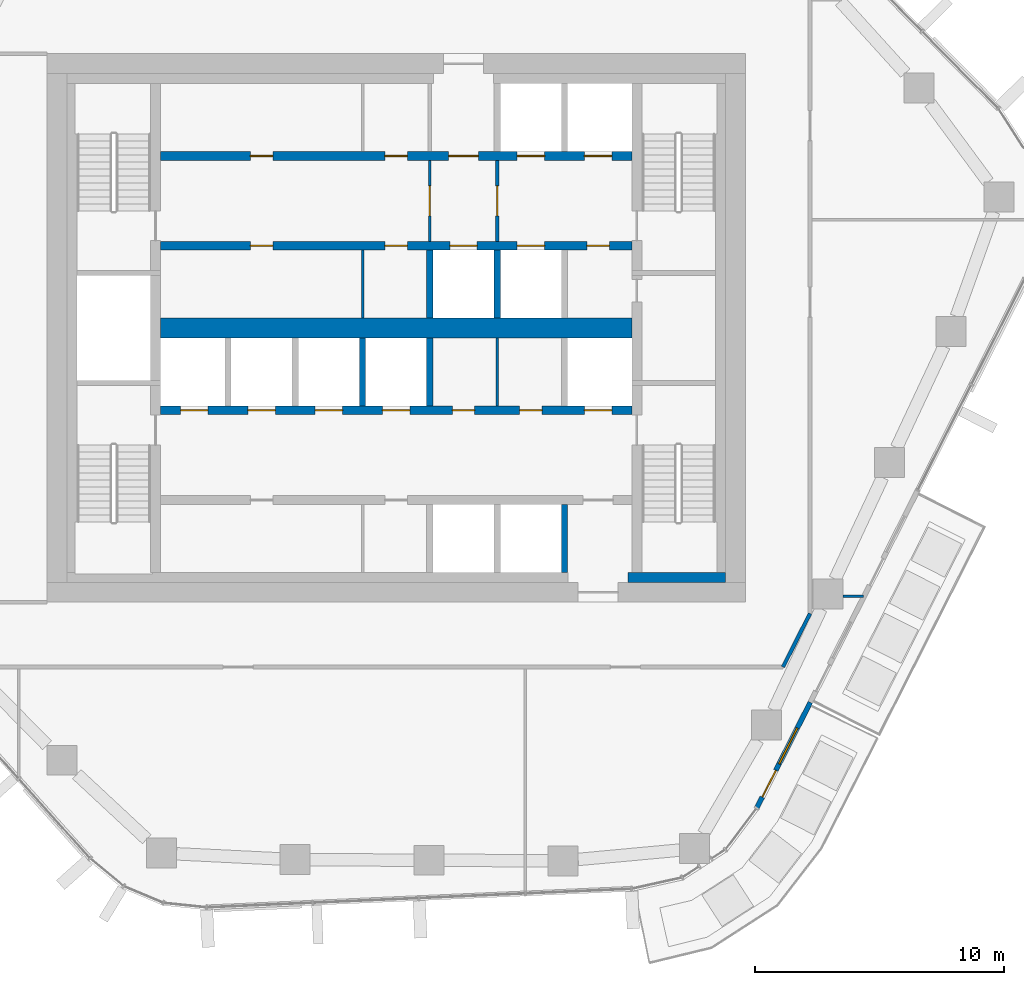
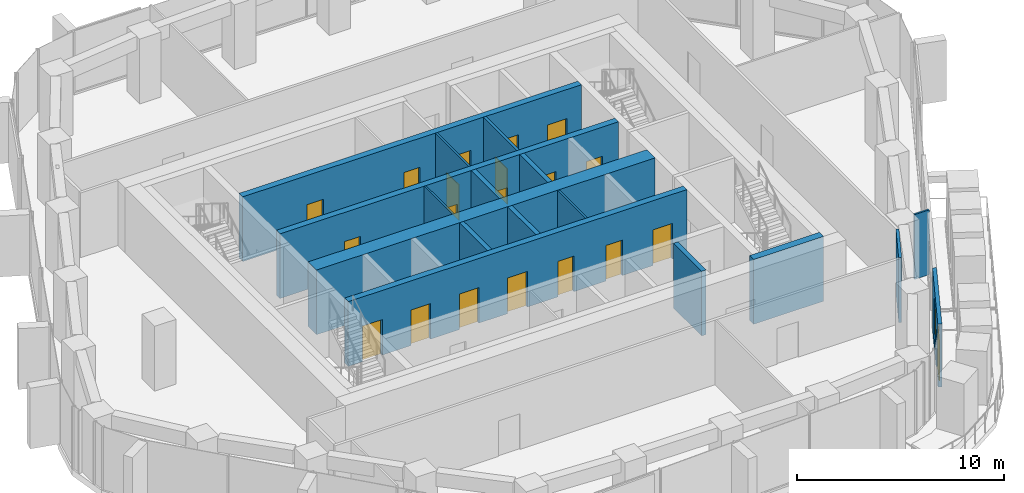
# One storey, part 11 of 17: 20 doors, 17 walls, 1 window, 21 openings.
"""IFC4 building model written with IfcOpenShell, lengths in metres."""

from ifc_helpers import new_model, si_unit, direction, frame, frame_2d, origin, place, context, subcontext, project, spatial, rectangle, extrude, material, layer, layer_set, type_object, element, fill, save


model = new_model("IFC4")

# Units and contexts
model_context = context("Model", 3, precision=1e-05, world=origin(), true_north=direction((0.0, 1.0)))
body_context = subcontext(model_context, "Body", "Model", "MODEL_VIEW")
ifc_project = project(units=[si_unit("LENGTHUNIT", "METRE"), si_unit("AREAUNIT", "SQUARE_METRE"), si_unit("VOLUMEUNIT", "CUBIC_METRE"), si_unit("PLANEANGLEUNIT", "RADIAN"), si_unit("MASSUNIT", "GRAM", prefix="KILO")], contexts=[model_context])

# Site, building, storey
site_placement = place(None, origin())
site = spatial("IfcSite", under=ifc_project, at=site_placement, CompositionType="ELEMENT")
building_placement = place(site_placement, origin())
building = spatial("IfcBuilding", under=site, at=building_placement, Name="Dongbaek Canopy Tower", CompositionType="ELEMENT")
storey_placement = place(building_placement, frame((0.0, 0.0, 175.39990234375)))
storey = spatial("IfcBuildingStorey", under=building, at=storey_placement, Name="L38", CompositionType="ELEMENT", Elevation=175.39990234375)

# Wall
ifc_material_1 = material(Name="Concrete C60/75", Category="concrete")
ifc_layer_1 = layer(ifc_material_1, 0.800048828125)
ifc_layer_set_1 = layer_set([ifc_layer_1], Name="Core central wall 800 Concrete C60/75")
wall_type_1 = type_object("IfcWallType", Name="Core central wall 800 Concrete C60/75", PredefinedType="SHEAR", material=ifc_layer_set_1)
wall_1_placement = place(storey_placement, frame((-9.449951171875, 0.0, 0.0), z_axis=(0.0, 0.0, 1.0), x_axis=(1.0, 0.0, 0.0)))
element("IfcWall", 1, at=wall_1_placement, inside=storey, type_object=wall_type_1, Name="Core wall", PredefinedType="SHEAR", context=body_context, shape_type="SweptSolid", body=[
    extrude(rectangle(XDim=18.89990234375, YDim=0.800048828125, at=frame_2d((9.449951171875, 0.0))), origin(), (0.0, 0.0, 1.0), 3.820068359375),
])

# Wall, openings, doors
ifc_material_2 = material(Name="Concrete C60/75", Category="concrete")
ifc_layer_2 = layer(ifc_material_2, 0.35009765625)
ifc_layer_set_2 = layer_set([ifc_layer_2], Name="Core lobby wall 350 Concrete C60/75")
wall_type_2 = type_object("IfcWallType", Name="Core lobby wall 350 Concrete C60/75", PredefinedType="SHEAR", material=ifc_layer_set_2)
wall_2_placement = place(storey_placement, frame((-9.449951171875, 6.89990234375, 0.0), z_axis=(0.0, 0.0, 1.0), x_axis=(1.0, 0.0, 0.0)))
wall_2 = element("IfcWall", 2, at=wall_2_placement, inside=storey, type_object=wall_type_2, Name="Core wall", PredefinedType="SHEAR", context=body_context, shape_type="SweptSolid", body=[
    extrude(rectangle(XDim=18.89990234375, YDim=0.35009765625, at=frame_2d((9.449951171875, 0.0))), origin(), (0.0, 0.0, 1.0), 3.820068359375),
])
opening_1_placement = place(wall_2_placement, frame((11.550048828125, 0.0, 0.0)))
opening_1 = element("IfcOpeningElement", 3, at=opening_1_placement, cuts=wall_2, Name="Opening L38-D009", PredefinedType="OPENING", context=body_context, shape_type="SweptSolid", body=[
    extrude(rectangle(XDim=1.199951171875, YDim=2.10009765625, at=frame_2d((0.60009765625, 1.050048828125))), frame((0.0, 0.18505859375, 0.0), z_axis=(0.0, -1.0, 0.0), x_axis=(1.0, 0.0, 0.0)), (0.0, 0.0, 1.0), 0.3701171875),
])
opening_2_placement = place(wall_2_placement, frame((14.300048828125, 0.0, 0.0)))
opening_2 = element("IfcOpeningElement", 4, at=opening_2_placement, cuts=wall_2, Name="Opening L38-D010", PredefinedType="OPENING", context=body_context, shape_type="SweptSolid", body=[
    extrude(rectangle(XDim=1.10009765625, YDim=2.10009765625, at=frame_2d((0.550048828125, 1.050048828125))), frame((0.0, 0.18505859375, 0.0), z_axis=(0.0, -1.0, 0.0), x_axis=(1.0, 0.0, 0.0)), (0.0, 0.0, 1.0), 0.3701171875),
])
opening_3_placement = place(wall_2_placement, frame((17.0, 0.0, 0.0)))
opening_3 = element("IfcOpeningElement", 5, at=opening_3_placement, cuts=wall_2, Name="Opening L38-D011", PredefinedType="OPENING", context=body_context, shape_type="SweptSolid", body=[
    extrude(rectangle(XDim=1.10009765625, YDim=2.10009765625, at=frame_2d((0.550048828125, 1.050048828125))), frame((0.0, 0.18505859375, 0.0), z_axis=(0.0, -1.0, 0.0), x_axis=(1.0, 0.0, 0.0)), (0.0, 0.0, 1.0), 0.3701171875),
])
opening_4_placement = place(wall_2_placement, frame((3.60009765625, 0.0, 0.0)))
opening_4 = element("IfcOpeningElement", 6, at=opening_4_placement, cuts=wall_2, Name="Opening L38-D022", PredefinedType="OPENING", context=body_context, shape_type="SweptSolid", body=[
    extrude(rectangle(XDim=0.89990234375, YDim=2.10009765625, at=frame_2d((0.449951171875, 1.050048828125))), frame((0.0, 0.18505859375, 0.0), z_axis=(0.0, -1.0, 0.0), x_axis=(1.0, 0.0, 0.0)), (0.0, 0.0, 1.0), 0.3701171875),
])
opening_5_placement = place(wall_2_placement, frame((9.0, 0.0, 0.0)))
opening_5 = element("IfcOpeningElement", 7, at=opening_5_placement, cuts=wall_2, Name="Opening L38-D023", PredefinedType="OPENING", context=body_context, shape_type="SweptSolid", body=[
    extrude(rectangle(XDim=0.89990234375, YDim=2.10009765625, at=frame_2d((0.449951171875, 1.050048828125))), frame((0.0, 0.18505859375, 0.0), z_axis=(0.0, -1.0, 0.0), x_axis=(1.0, 0.0, 0.0)), (0.0, 0.0, 1.0), 0.3701171875),
])
ifc_material_3 = material(Name="Steel", Category="steel")
door_type_1 = type_object("IfcDoorType", Name="Core room door 900 x 2100", OperationType="SINGLE_SWING_LEFT", PredefinedType="DOOR", material=ifc_material_3)
door_1_placement = place(opening_4_placement, origin())
door_1 = element("IfcDoor", 8, at=door_1_placement, inside=storey, type_object=door_type_1, Name="Door L38-D022", OperationType="SINGLE_SWING_RIGHT", OverallHeight=2.10009765625, OverallWidth=0.89990234375, PredefinedType="DOOR", context=body_context, shape_type="SweptSolid", body=[
    extrude(rectangle(XDim=0.89990234375, YDim=2.10009765625, at=frame_2d((0.449951171875, 1.050048828125))), frame((0.0, 0.02490234375, 0.0), z_axis=(0.0, -1.0, 0.0), x_axis=(1.0, 0.0, 0.0)), (0.0, 0.0, 1.0), 0.050048828125),
])
fill(opening_4, door_1)
door_2_placement = place(opening_5_placement, origin())
door_2 = element("IfcDoor", 9, at=door_2_placement, inside=storey, type_object=door_type_1, Name="Door L38-D023", OperationType="SINGLE_SWING_LEFT", OverallHeight=2.10009765625, OverallWidth=0.89990234375, PredefinedType="DOOR", context=body_context, shape_type="SweptSolid", body=[
    extrude(rectangle(XDim=0.89990234375, YDim=2.10009765625, at=frame_2d((0.449951171875, 1.050048828125))), frame((0.0, 0.02490234375, 0.0), z_axis=(0.0, -1.0, 0.0), x_axis=(1.0, 0.0, 0.0)), (0.0, 0.0, 1.0), 0.050048828125),
])
fill(opening_5, door_2)
ifc_material_4 = material(Name="Steel", Category="steel")
door_type_2 = type_object("IfcDoorType", Name="Fire lobby door 1200 x 2100", OperationType="SINGLE_SWING_LEFT", PredefinedType="DOOR", material=ifc_material_4)
door_3_placement = place(opening_1_placement, origin())
door_3 = element("IfcDoor", 10, at=door_3_placement, inside=storey, type_object=door_type_2, Name="Door L38-D009", OperationType="SINGLE_SWING_LEFT", OverallHeight=2.10009765625, OverallWidth=1.199951171875, PredefinedType="DOOR", context=body_context, shape_type="SweptSolid", body=[
    extrude(rectangle(XDim=1.199951171875, YDim=2.10009765625, at=frame_2d((0.60009765625, 1.050048828125))), frame((0.0, 0.02490234375, 0.0), z_axis=(0.0, -1.0, 0.0), x_axis=(1.0, 0.0, 0.0)), (0.0, 0.0, 1.0), 0.050048828125),
])
fill(opening_1, door_3)
ifc_material_5 = material(Name="Stainless steel", Category="steel")
door_type_3 = type_object("IfcDoorType", Name="Lift landing door 1100 x 2100", OperationType="DOUBLE_DOOR_SLIDING", PredefinedType="DOOR", material=ifc_material_5)
door_4_placement = place(opening_2_placement, origin())
door_4 = element("IfcDoor", 11, at=door_4_placement, inside=storey, type_object=door_type_3, Name="Landing door FF1", OperationType="DOUBLE_DOOR_SLIDING", OverallHeight=2.10009765625, OverallWidth=1.10009765625, PredefinedType="DOOR", context=body_context, shape_type="SweptSolid", body=[
    extrude(rectangle(XDim=1.10009765625, YDim=2.10009765625, at=frame_2d((0.550048828125, 1.050048828125))), frame((0.0, 0.02490234375, 0.0), z_axis=(0.0, -1.0, 0.0), x_axis=(1.0, 0.0, 0.0)), (0.0, 0.0, 1.0), 0.050048828125),
])
fill(opening_2, door_4)
door_5_placement = place(opening_3_placement, origin())
door_5 = element("IfcDoor", 12, at=door_5_placement, inside=storey, type_object=door_type_3, Name="Landing door FF2", OperationType="DOUBLE_DOOR_SLIDING", OverallHeight=2.10009765625, OverallWidth=1.10009765625, PredefinedType="DOOR", context=body_context, shape_type="SweptSolid", body=[
    extrude(rectangle(XDim=1.10009765625, YDim=2.10009765625, at=frame_2d((0.550048828125, 1.050048828125))), frame((0.0, 0.02490234375, 0.0), z_axis=(0.0, -1.0, 0.0), x_axis=(1.0, 0.0, 0.0)), (0.0, 0.0, 1.0), 0.050048828125),
])
fill(opening_3, door_5)

wall_3_placement = place(storey_placement, frame((9.449951171875, 3.300048828125, 0.0), z_axis=(0.0, 0.0, 1.0), x_axis=(-1.0, 0.0, 0.0)))
wall_3 = element("IfcWall", 13, at=wall_3_placement, inside=storey, type_object=wall_type_2, Name="Core wall", PredefinedType="SHEAR", context=body_context, shape_type="SweptSolid", body=[
    extrude(rectangle(XDim=18.89990234375, YDim=0.35009765625, at=frame_2d((9.449951171875, 0.0))), origin(), (0.0, 0.0, 1.0), 3.820068359375),
])
opening_6_placement = place(wall_3_placement, frame((6.199951171875, 0.0, 0.0)))
opening_6 = element("IfcOpeningElement", 14, at=opening_6_placement, cuts=wall_3, Name="Opening L38-D012", PredefinedType="OPENING", context=body_context, shape_type="SweptSolid", body=[
    extrude(rectangle(XDim=1.10009765625, YDim=2.10009765625, at=frame_2d((0.550048828125, 1.050048828125))), frame((0.0, 0.18505859375, 0.0), z_axis=(0.0, -1.0, 0.0), x_axis=(1.0, 0.0, 0.0)), (0.0, 0.0, 1.0), 0.3701171875),
])
opening_7_placement = place(wall_3_placement, frame((3.5, 0.0, 0.0)))
opening_7 = element("IfcOpeningElement", 15, at=opening_7_placement, cuts=wall_3, Name="Opening L38-D013", PredefinedType="OPENING", context=body_context, shape_type="SweptSolid", body=[
    extrude(rectangle(XDim=1.10009765625, YDim=2.10009765625, at=frame_2d((0.550048828125, 1.050048828125))), frame((0.0, 0.18505859375, 0.0), z_axis=(0.0, -1.0, 0.0), x_axis=(1.0, 0.0, 0.0)), (0.0, 0.0, 1.0), 0.3701171875),
])
opening_8_placement = place(wall_3_placement, frame((0.89990234375, 0.0, 0.0)))
opening_8 = element("IfcOpeningElement", 16, at=opening_8_placement, cuts=wall_3, Name="Opening L38-D014", PredefinedType="OPENING", context=body_context, shape_type="SweptSolid", body=[
    extrude(rectangle(XDim=0.89990234375, YDim=2.10009765625, at=frame_2d((0.449951171875, 1.050048828125))), frame((0.0, 0.18505859375, 0.0), z_axis=(0.0, -1.0, 0.0), x_axis=(1.0, 0.0, 0.0)), (0.0, 0.0, 1.0), 0.3701171875),
])
opening_9_placement = place(wall_3_placement, frame((14.39990234375, 0.0, 0.0)))
opening_9 = element("IfcOpeningElement", 17, at=opening_9_placement, cuts=wall_3, Name="Opening L38-D024", PredefinedType="OPENING", context=body_context, shape_type="SweptSolid", body=[
    extrude(rectangle(XDim=0.89990234375, YDim=2.10009765625, at=frame_2d((0.449951171875, 1.050048828125))), frame((0.0, 0.18505859375, 0.0), z_axis=(0.0, -1.0, 0.0), x_axis=(1.0, 0.0, 0.0)), (0.0, 0.0, 1.0), 0.3701171875),
])
opening_10_placement = place(wall_3_placement, frame((9.0, 0.0, 0.0)))
opening_10 = element("IfcOpeningElement", 18, at=opening_10_placement, cuts=wall_3, Name="Opening L38-D025", PredefinedType="OPENING", context=body_context, shape_type="SweptSolid", body=[
    extrude(rectangle(XDim=0.89990234375, YDim=2.10009765625, at=frame_2d((0.449951171875, 1.050048828125))), frame((0.0, 0.18505859375, 0.0), z_axis=(0.0, -1.0, 0.0), x_axis=(1.0, 0.0, 0.0)), (0.0, 0.0, 1.0), 0.3701171875),
])
door_6_placement = place(opening_8_placement, origin())
door_6 = element("IfcDoor", 19, at=door_6_placement, inside=storey, type_object=door_type_1, Name="Door L38-D014", OperationType="SINGLE_SWING_LEFT", OverallHeight=2.10009765625, OverallWidth=0.89990234375, PredefinedType="DOOR", context=body_context, shape_type="SweptSolid", body=[
    extrude(rectangle(XDim=0.89990234375, YDim=2.10009765625, at=frame_2d((0.449951171875, 1.050048828125))), frame((0.0, 0.02490234375, 0.0), z_axis=(0.0, -1.0, 0.0), x_axis=(1.0, 0.0, 0.0)), (0.0, 0.0, 1.0), 0.050048828125),
])
fill(opening_8, door_6)
door_7_placement = place(opening_9_placement, origin())
door_7 = element("IfcDoor", 20, at=door_7_placement, inside=storey, type_object=door_type_1, Name="Door L38-D024", OperationType="SINGLE_SWING_RIGHT", OverallHeight=2.10009765625, OverallWidth=0.89990234375, PredefinedType="DOOR", context=body_context, shape_type="SweptSolid", body=[
    extrude(rectangle(XDim=0.89990234375, YDim=2.10009765625, at=frame_2d((0.449951171875, 1.050048828125))), frame((0.0, 0.02490234375, 0.0), z_axis=(0.0, -1.0, 0.0), x_axis=(1.0, 0.0, 0.0)), (0.0, 0.0, 1.0), 0.050048828125),
])
fill(opening_9, door_7)
door_8_placement = place(opening_10_placement, origin())
door_8 = element("IfcDoor", 21, at=door_8_placement, inside=storey, type_object=door_type_1, Name="Door L38-D025", OperationType="SINGLE_SWING_LEFT", OverallHeight=2.10009765625, OverallWidth=0.89990234375, PredefinedType="DOOR", context=body_context, shape_type="SweptSolid", body=[
    extrude(rectangle(XDim=0.89990234375, YDim=2.10009765625, at=frame_2d((0.449951171875, 1.050048828125))), frame((0.0, 0.02490234375, 0.0), z_axis=(0.0, -1.0, 0.0), x_axis=(1.0, 0.0, 0.0)), (0.0, 0.0, 1.0), 0.050048828125),
])
fill(opening_10, door_8)
door_9_placement = place(opening_6_placement, origin())
door_9 = element("IfcDoor", 22, at=door_9_placement, inside=storey, type_object=door_type_3, Name="Landing door SV1", OperationType="DOUBLE_DOOR_SLIDING", OverallHeight=2.10009765625, OverallWidth=1.10009765625, PredefinedType="DOOR", context=body_context, shape_type="SweptSolid", body=[
    extrude(rectangle(XDim=1.10009765625, YDim=2.10009765625, at=frame_2d((0.550048828125, 1.050048828125))), frame((0.0, 0.02490234375, 0.0), z_axis=(0.0, -1.0, 0.0), x_axis=(1.0, 0.0, 0.0)), (0.0, 0.0, 1.0), 0.050048828125),
])
fill(opening_6, door_9)
door_10_placement = place(opening_7_placement, origin())
door_10 = element("IfcDoor", 23, at=door_10_placement, inside=storey, type_object=door_type_3, Name="Landing door FF3", OperationType="DOUBLE_DOOR_SLIDING", OverallHeight=2.10009765625, OverallWidth=1.10009765625, PredefinedType="DOOR", context=body_context, shape_type="SweptSolid", body=[
    extrude(rectangle(XDim=1.10009765625, YDim=2.10009765625, at=frame_2d((0.550048828125, 1.050048828125))), frame((0.0, 0.02490234375, 0.0), z_axis=(0.0, -1.0, 0.0), x_axis=(1.0, 0.0, 0.0)), (0.0, 0.0, 1.0), 0.050048828125),
])
fill(opening_7, door_10)

wall_4_placement = place(storey_placement, frame((-9.449951171875, -3.300048828125, 0.0), z_axis=(0.0, 0.0, 1.0), x_axis=(1.0, 0.0, 0.0)))
wall_4 = element("IfcWall", 24, at=wall_4_placement, inside=storey, type_object=wall_type_2, Name="Core wall", PredefinedType="SHEAR", context=body_context, shape_type="SweptSolid", body=[
    extrude(rectangle(XDim=18.89990234375, YDim=0.35009765625, at=frame_2d((9.449951171875, 0.0))), origin(), (0.0, 0.0, 1.0), 3.820068359375),
])
opening_11_placement = place(wall_4_placement, frame((0.800048828125, 0.0, 0.0)))
opening_11 = element("IfcOpeningElement", 25, at=opening_11_placement, cuts=wall_4, Name="Opening L38-D015", PredefinedType="OPENING", context=body_context, shape_type="SweptSolid", body=[
    extrude(rectangle(XDim=1.10009765625, YDim=2.10009765625, at=frame_2d((0.550048828125, 1.050048828125))), frame((0.0, 0.18505859375, 0.0), z_axis=(0.0, -1.0, 0.0), x_axis=(1.0, 0.0, 0.0)), (0.0, 0.0, 1.0), 0.3701171875),
])
opening_12_placement = place(wall_4_placement, frame((3.5, 0.0, 0.0)))
opening_12 = element("IfcOpeningElement", 26, at=opening_12_placement, cuts=wall_4, Name="Opening L38-D016", PredefinedType="OPENING", context=body_context, shape_type="SweptSolid", body=[
    extrude(rectangle(XDim=1.10009765625, YDim=2.10009765625, at=frame_2d((0.550048828125, 1.050048828125))), frame((0.0, 0.18505859375, 0.0), z_axis=(0.0, -1.0, 0.0), x_axis=(1.0, 0.0, 0.0)), (0.0, 0.0, 1.0), 0.3701171875),
])
opening_13_placement = place(wall_4_placement, frame((6.199951171875, 0.0, 0.0)))
opening_13 = element("IfcOpeningElement", 27, at=opening_13_placement, cuts=wall_4, Name="Opening L38-D017", PredefinedType="OPENING", context=body_context, shape_type="SweptSolid", body=[
    extrude(rectangle(XDim=1.10009765625, YDim=2.10009765625, at=frame_2d((0.550048828125, 1.050048828125))), frame((0.0, 0.18505859375, 0.0), z_axis=(0.0, -1.0, 0.0), x_axis=(1.0, 0.0, 0.0)), (0.0, 0.0, 1.0), 0.3701171875),
])
opening_14_placement = place(wall_4_placement, frame((8.89990234375, 0.0, 0.0)))
opening_14 = element("IfcOpeningElement", 28, at=opening_14_placement, cuts=wall_4, Name="Opening L38-D018", PredefinedType="OPENING", context=body_context, shape_type="SweptSolid", body=[
    extrude(rectangle(XDim=1.10009765625, YDim=2.10009765625, at=frame_2d((0.550048828125, 1.050048828125))), frame((0.0, 0.18505859375, 0.0), z_axis=(0.0, -1.0, 0.0), x_axis=(1.0, 0.0, 0.0)), (0.0, 0.0, 1.0), 0.3701171875),
])
opening_15_placement = place(wall_4_placement, frame((17.0, 0.0, 0.0)))
opening_15 = element("IfcOpeningElement", 29, at=opening_15_placement, cuts=wall_4, Name="Opening L38-D019", PredefinedType="OPENING", context=body_context, shape_type="SweptSolid", body=[
    extrude(rectangle(XDim=1.10009765625, YDim=2.10009765625, at=frame_2d((0.550048828125, 1.050048828125))), frame((0.0, 0.18505859375, 0.0), z_axis=(0.0, -1.0, 0.0), x_axis=(1.0, 0.0, 0.0)), (0.0, 0.0, 1.0), 0.3701171875),
])
opening_16_placement = place(wall_4_placement, frame((11.699951171875, 0.0, 0.0)))
opening_16 = element("IfcOpeningElement", 30, at=opening_16_placement, cuts=wall_4, Name="Opening L38-D026", PredefinedType="OPENING", context=body_context, shape_type="SweptSolid", body=[
    extrude(rectangle(XDim=0.89990234375, YDim=2.10009765625, at=frame_2d((0.449951171875, 1.050048828125))), frame((0.0, 0.18505859375, 0.0), z_axis=(0.0, -1.0, 0.0), x_axis=(1.0, 0.0, 0.0)), (0.0, 0.0, 1.0), 0.3701171875),
])
opening_17_placement = place(wall_4_placement, frame((14.39990234375, 0.0, 0.0)))
opening_17 = element("IfcOpeningElement", 31, at=opening_17_placement, cuts=wall_4, Name="Opening L38-D027", PredefinedType="OPENING", context=body_context, shape_type="SweptSolid", body=[
    extrude(rectangle(XDim=0.89990234375, YDim=2.10009765625, at=frame_2d((0.449951171875, 1.050048828125))), frame((0.0, 0.18505859375, 0.0), z_axis=(0.0, -1.0, 0.0), x_axis=(1.0, 0.0, 0.0)), (0.0, 0.0, 1.0), 0.3701171875),
])
door_11_placement = place(opening_16_placement, origin())
door_11 = element("IfcDoor", 32, at=door_11_placement, inside=storey, type_object=door_type_1, Name="Door L38-D026", OperationType="SINGLE_SWING_RIGHT", OverallHeight=2.10009765625, OverallWidth=0.89990234375, PredefinedType="DOOR", context=body_context, shape_type="SweptSolid", body=[
    extrude(rectangle(XDim=0.89990234375, YDim=2.10009765625, at=frame_2d((0.449951171875, 1.050048828125))), frame((0.0, 0.02490234375, 0.0), z_axis=(0.0, -1.0, 0.0), x_axis=(1.0, 0.0, 0.0)), (0.0, 0.0, 1.0), 0.050048828125),
])
fill(opening_16, door_11)
door_12_placement = place(opening_17_placement, origin())
door_12 = element("IfcDoor", 33, at=door_12_placement, inside=storey, type_object=door_type_1, Name="Door L38-D027", OperationType="SINGLE_SWING_LEFT", OverallHeight=2.10009765625, OverallWidth=0.89990234375, PredefinedType="DOOR", context=body_context, shape_type="SweptSolid", body=[
    extrude(rectangle(XDim=0.89990234375, YDim=2.10009765625, at=frame_2d((0.449951171875, 1.050048828125))), frame((0.0, 0.02490234375, 0.0), z_axis=(0.0, -1.0, 0.0), x_axis=(1.0, 0.0, 0.0)), (0.0, 0.0, 1.0), 0.050048828125),
])
fill(opening_17, door_12)
door_13_placement = place(opening_11_placement, origin())
door_13 = element("IfcDoor", 34, at=door_13_placement, inside=storey, type_object=door_type_3, Name="Landing door MR1", OperationType="DOUBLE_DOOR_SLIDING", OverallHeight=2.10009765625, OverallWidth=1.10009765625, PredefinedType="DOOR", context=body_context, shape_type="SweptSolid", body=[
    extrude(rectangle(XDim=1.10009765625, YDim=2.10009765625, at=frame_2d((0.550048828125, 1.050048828125))), frame((0.0, 0.02490234375, 0.0), z_axis=(0.0, -1.0, 0.0), x_axis=(1.0, 0.0, 0.0)), (0.0, 0.0, 1.0), 0.050048828125),
])
fill(opening_11, door_13)
door_14_placement = place(opening_12_placement, origin())
door_14 = element("IfcDoor", 35, at=door_14_placement, inside=storey, type_object=door_type_3, Name="Landing door MR2", OperationType="DOUBLE_DOOR_SLIDING", OverallHeight=2.10009765625, OverallWidth=1.10009765625, PredefinedType="DOOR", context=body_context, shape_type="SweptSolid", body=[
    extrude(rectangle(XDim=1.10009765625, YDim=2.10009765625, at=frame_2d((0.550048828125, 1.050048828125))), frame((0.0, 0.02490234375, 0.0), z_axis=(0.0, -1.0, 0.0), x_axis=(1.0, 0.0, 0.0)), (0.0, 0.0, 1.0), 0.050048828125),
])
fill(opening_12, door_14)
door_15_placement = place(opening_13_placement, origin())
door_15 = element("IfcDoor", 36, at=door_15_placement, inside=storey, type_object=door_type_3, Name="Landing door MR3", OperationType="DOUBLE_DOOR_SLIDING", OverallHeight=2.10009765625, OverallWidth=1.10009765625, PredefinedType="DOOR", context=body_context, shape_type="SweptSolid", body=[
    extrude(rectangle(XDim=1.10009765625, YDim=2.10009765625, at=frame_2d((0.550048828125, 1.050048828125))), frame((0.0, 0.02490234375, 0.0), z_axis=(0.0, -1.0, 0.0), x_axis=(1.0, 0.0, 0.0)), (0.0, 0.0, 1.0), 0.050048828125),
])
fill(opening_13, door_15)
door_16_placement = place(opening_14_placement, origin())
door_16 = element("IfcDoor", 37, at=door_16_placement, inside=storey, type_object=door_type_3, Name="Landing door MR4", OperationType="DOUBLE_DOOR_SLIDING", OverallHeight=2.10009765625, OverallWidth=1.10009765625, PredefinedType="DOOR", context=body_context, shape_type="SweptSolid", body=[
    extrude(rectangle(XDim=1.10009765625, YDim=2.10009765625, at=frame_2d((0.550048828125, 1.050048828125))), frame((0.0, 0.02490234375, 0.0), z_axis=(0.0, -1.0, 0.0), x_axis=(1.0, 0.0, 0.0)), (0.0, 0.0, 1.0), 0.050048828125),
])
fill(opening_14, door_16)
door_17_placement = place(opening_15_placement, origin())
door_17 = element("IfcDoor", 38, at=door_17_placement, inside=storey, type_object=door_type_3, Name="Landing door SV2", OperationType="DOUBLE_DOOR_SLIDING", OverallHeight=2.10009765625, OverallWidth=1.10009765625, PredefinedType="DOOR", context=body_context, shape_type="SweptSolid", body=[
    extrude(rectangle(XDim=1.10009765625, YDim=2.10009765625, at=frame_2d((0.550048828125, 1.050048828125))), frame((0.0, 0.02490234375, 0.0), z_axis=(0.0, -1.0, 0.0), x_axis=(1.0, 0.0, 0.0)), (0.0, 0.0, 1.0), 0.050048828125),
])
fill(opening_15, door_17)

# Walls
ifc_material_6 = material(Name="Concrete C60/75", Category="concrete")
ifc_layer_3 = layer(ifc_material_6, 0.39990234375)
ifc_layer_set_3 = layer_set([ifc_layer_3], Name="Core wall lining 400 Concrete C60/75")
wall_type_3 = type_object("IfcWallType", Name="Core wall lining 400 Concrete C60/75", PredefinedType="SHEAR", material=ifc_layer_set_3)
wall_5_placement = place(storey_placement, frame((13.199951171875, -10.0, 0.0), z_axis=(0.0, 0.0, 1.0), x_axis=(-1.0, 0.0, 0.0)))
element("IfcWall", 39, at=wall_5_placement, inside=storey, type_object=wall_type_3, Name="Core wall lining", PredefinedType="SHEAR", context=body_context, shape_type="SweptSolid", body=[
    extrude(rectangle(XDim=3.89990234375, YDim=0.39990234375, at=frame_2d((1.949951171875, 0.0))), origin(), (0.0, 0.0, 1.0), 3.820068359375),
])
ifc_material_7 = material(Name="Gypsum board partition, steel stud, 2 x 15 mm fire board", Category="steel")
ifc_layer_4 = layer(ifc_material_7, 0.14990234375)
ifc_layer_set_4 = layer_set([ifc_layer_4], Name="Fire-rated partition 150 gypsum board")
wall_type_4 = type_object("IfcWallType", Name="Fire-rated partition 150 gypsum board", PredefinedType="PARTITIONING", material=ifc_layer_set_4)
wall_6_placement = place(storey_placement, frame((15.5107421875, -13.60009765625, 0.0), z_axis=(0.0, 0.0, 1.0), x_axis=(0.45198735735, 0.892024343163, 0.0)))
element("IfcWall", 40, at=wall_6_placement, inside=storey, type_object=wall_type_4, Name="Corridor partition", PredefinedType="PARTITIONING", context=body_context, shape_type="SweptSolid", body=[
    extrude(rectangle(XDim=2.41064453125, YDim=0.14990234375, at=frame_2d((1.205322265625, 0.0))), origin(), (0.0, 0.0, 1.0), 3.820068359375),
])

# Wall, opening, door
wall_7_placement = place(storey_placement, frame((4.050048828125, 6.72509765625, 0.0), z_axis=(0.0, 0.0, 1.0), x_axis=(0.0, -1.0, 0.0)))
wall_7 = element("IfcWall", 41, at=wall_7_placement, inside=storey, type_object=wall_type_4, Name="Fire lobby partition", PredefinedType="PARTITIONING", context=body_context, shape_type="SweptSolid", body=[
    extrude(rectangle(XDim=3.25, YDim=0.14990234375, at=frame_2d((1.625, 0.0))), origin(), (0.0, 0.0, 1.0), 3.820068359375),
])
opening_18_placement = place(wall_7_placement, frame((1.02490234375, 0.0, 0.0)))
opening_18 = element("IfcOpeningElement", 42, at=opening_18_placement, cuts=wall_7, Name="Opening L38-D035", PredefinedType="OPENING", context=body_context, shape_type="SweptSolid", body=[
    extrude(rectangle(XDim=1.199951171875, YDim=2.10009765625, at=frame_2d((0.60009765625, 1.050048828125))), frame((0.0, 0.0849609375, 0.0), z_axis=(0.0, -1.0, 0.0), x_axis=(1.0, 0.0, 0.0)), (0.0, 0.0, 1.0), 0.169921875),
])
door_18_placement = place(opening_18_placement, origin())
door_18 = element("IfcDoor", 43, at=door_18_placement, inside=storey, type_object=door_type_2, Name="Door L38-D035", OperationType="SINGLE_SWING_RIGHT", OverallHeight=2.10009765625, OverallWidth=1.199951171875, PredefinedType="DOOR", context=body_context, shape_type="SweptSolid", body=[
    extrude(rectangle(XDim=1.199951171875, YDim=2.10009765625, at=frame_2d((0.60009765625, 1.050048828125))), frame((0.0, 0.02490234375, 0.0), z_axis=(0.0, -1.0, 0.0), x_axis=(1.0, 0.0, 0.0)), (0.0, 0.0, 1.0), 0.050048828125),
])
fill(opening_18, door_18)

# Walls
ifc_material_8 = material(Name="Concrete C40/50", Category="concrete")
ifc_layer_5 = layer(ifc_material_8, 0.25)
ifc_layer_set_5 = layer_set([ifc_layer_5], Name="Lift shaft wall 250 Concrete C40/50")
wall_type_5 = type_object("IfcWallType", Name="Lift shaft wall 250 Concrete C40/50", PredefinedType="SOLIDWALL", material=ifc_layer_set_5)
for number, where, z_axis, x_axis, name in (
    (44, (6.75, -9.800048828125, 0.0), (0.0, 0.0, 1.0), (0.0, 1.0, 0.0), "Lift shaft wall"),
    (45, (4.050048828125, 0.39990234375, 0.0), (0.0, 0.0, 1.0), (0.0, 1.0, 0.0), "Lift shaft wall"),
    (46, (1.35009765625, -3.125, 0.0), (0.0, 0.0, 1.0), (0.0, 1.0, 0.0), "Lift shaft wall"),
    (47, (1.35009765625, 0.39990234375, 0.0), (0.0, 0.0, 1.0), (0.0, 1.0, 0.0), "Lift shaft wall"),
    (48, (-1.35009765625, -3.125, 0.0), (0.0, 0.0, 1.0), (0.0, 1.0, 0.0), "Lift shaft wall"),
):
    element("IfcWall", number, at=place(storey_placement, frame(where, z_axis=z_axis, x_axis=x_axis)), inside=storey, type_object=wall_type_5, Name=name, PredefinedType="SOLIDWALL", context=body_context, shape_type="SweptSolid", body=[
        extrude(rectangle(XDim=2.72509765625, YDim=0.25, at=frame_2d((1.362548828125, 0.0))), origin(), (0.0, 0.0, 1.0), 3.820068359375),
    ])
ifc_material_9 = material(Name="Gypsum board partition, steel stud, 2 x 12.5 mm board", Category="steel")
ifc_layer_6 = layer(ifc_material_9, 0.10009765625)
ifc_layer_set_6 = layer_set([ifc_layer_6], Name="Partition 100 gypsum board")
wall_type_6 = type_object("IfcWallType", Name="Partition 100 gypsum board", PredefinedType="PARTITIONING", material=ifc_layer_set_6)
wall_8_placement = place(storey_placement, frame((17.922119140625, -10.76806640625, 0.0), z_axis=(0.0, 0.0, 1.0), x_axis=(1.0, 0.0, 0.0)))
element("IfcWall", 49, at=wall_8_placement, inside=storey, type_object=wall_type_6, Name="Partition", PredefinedType="PARTITIONING", context=body_context, shape_type="SweptSolid", body=[
    extrude(rectangle(XDim=0.817138671875, YDim=0.10009765625, at=frame_2d((0.40869140625, 0.0))), origin(), (0.0, 0.0, 1.0), 3.820068359375),
])
wall_9_placement = place(storey_placement, frame((4.050048828125, -3.125, 0.0), z_axis=(0.0, 0.0, 1.0), x_axis=(0.0, 1.0, 0.0)))
element("IfcWall", 50, at=wall_9_placement, inside=storey, type_object=wall_type_6, Name="Core partition", PredefinedType="PARTITIONING", context=body_context, shape_type="SweptSolid", body=[
    extrude(rectangle(XDim=2.72509765625, YDim=0.10009765625, at=frame_2d((1.362548828125, 0.0))), origin(), (0.0, 0.0, 1.0), 3.820068359375),
])

# Wall, opening, door
wall_10_placement = place(storey_placement, frame((1.35009765625, 6.72509765625, 0.0), z_axis=(0.0, 0.0, 1.0), x_axis=(0.0, -1.0, 0.0)))
wall_10 = element("IfcWall", 51, at=wall_10_placement, inside=storey, type_object=wall_type_6, Name="Core partition", PredefinedType="PARTITIONING", context=body_context, shape_type="SweptSolid", body=[
    extrude(rectangle(XDim=3.25, YDim=0.10009765625, at=frame_2d((1.625, 0.0))), origin(), (0.0, 0.0, 1.0), 3.820068359375),
])
opening_19_placement = place(wall_10_placement, frame((1.02490234375, 0.0, 0.0)))
opening_19 = element("IfcOpeningElement", 52, at=opening_19_placement, cuts=wall_10, Name="Opening L38-D034", PredefinedType="OPENING", context=body_context, shape_type="SweptSolid", body=[
    extrude(rectangle(XDim=1.199951171875, YDim=2.10009765625, at=frame_2d((0.60009765625, 1.050048828125))), frame((0.0, 0.06005859375, 0.0), z_axis=(0.0, -1.0, 0.0), x_axis=(1.0, 0.0, 0.0)), (0.0, 0.0, 1.0), 0.1201171875),
])
door_19_placement = place(opening_19_placement, origin())
door_19 = element("IfcDoor", 53, at=door_19_placement, inside=storey, type_object=door_type_2, Name="Door L38-D034", OperationType="SINGLE_SWING_LEFT", OverallHeight=2.10009765625, OverallWidth=1.199951171875, PredefinedType="DOOR", context=body_context, shape_type="SweptSolid", body=[
    extrude(rectangle(XDim=1.199951171875, YDim=2.10009765625, at=frame_2d((0.60009765625, 1.050048828125))), frame((0.0, 0.02490234375, 0.0), z_axis=(0.0, -1.0, 0.0), x_axis=(1.0, 0.0, 0.0)), (0.0, 0.0, 1.0), 0.050048828125),
])
fill(opening_19, door_19)

# Wall
wall_11_placement = place(storey_placement, frame((-1.35009765625, 0.39990234375, 0.0), z_axis=(0.0, 0.0, 1.0), x_axis=(0.0, 1.0, 0.0)))
element("IfcWall", 54, at=wall_11_placement, inside=storey, type_object=wall_type_6, Name="Core partition", PredefinedType="PARTITIONING", context=body_context, shape_type="SweptSolid", body=[
    extrude(rectangle(XDim=2.72509765625, YDim=0.10009765625, at=frame_2d((1.362548828125, 0.0))), origin(), (0.0, 0.0, 1.0), 3.820068359375),
])

# Wall, openings, door, window
ifc_material_10 = material(Name="Aluminium window wall", Category="aluminium")
ifc_layer_7 = layer(ifc_material_10, 0.199951171875)
ifc_layer_set_7 = layer_set([ifc_layer_7], Name="Window wall 200")
wall_type_7 = type_object("IfcWallType", Name="Window wall 200", PredefinedType="SOLIDWALL", material=ifc_layer_set_7)
wall_12_placement = place(storey_placement, frame((14.4580078125, -19.2607421875, 0.0), z_axis=(0.0, 0.0, 1.0), x_axis=(0.452011627796, 0.892012044951, 0.0)))
wall_12 = element("IfcWall", 55, at=wall_12_placement, inside=storey, type_object=wall_type_7, Name="Window wall L38 2", PredefinedType="SOLIDWALL", context=body_context, shape_type="SweptSolid", body=[
    extrude(rectangle(XDim=4.75634765625, YDim=0.199951171875, at=frame_2d((2.378173828125, 0.0))), origin(), (0.0, 0.0, 1.0), 3.7001953125),
])
opening_20_placement = place(wall_12_placement, frame((2.0, 0.0, 0.60009765625)))
opening_20 = element("IfcOpeningElement", 56, at=opening_20_placement, cuts=wall_12, Name="Opening W1", PredefinedType="OPENING", context=body_context, shape_type="SweptSolid", body=[
    extrude(rectangle(XDim=1.60009765625, YDim=2.39990234375, at=frame_2d((0.800048828125, 1.199951171875))), frame((0.0, 0.10986328125, 0.0), z_axis=(0.0, -1.0, 0.0), x_axis=(1.0, 0.0, 0.0)), (0.0, 0.0, 1.0), 0.219970703125),
])
opening_21_placement = place(wall_12_placement, frame((0.5, 0.0, 0.0)))
opening_21 = element("IfcOpeningElement", 57, at=opening_21_placement, cuts=wall_12, Name="Opening L38-B03", PredefinedType="OPENING", context=body_context, shape_type="SweptSolid", body=[
    extrude(rectangle(XDim=1.199951171875, YDim=2.39990234375, at=frame_2d((0.60009765625, 1.199951171875))), frame((0.0, 0.10986328125, 0.0), z_axis=(0.0, -1.0, 0.0), x_axis=(1.0, 0.0, 0.0)), (0.0, 0.0, 1.0), 0.219970703125),
])
ifc_material_11 = material(Name="Clear glazing in aluminium frame", Category="aluminium")
door_type_4 = type_object("IfcDoorType", Name="Balcony door BD1 1200 x 2400", OperationType="SLIDING_TO_LEFT", PredefinedType="DOOR", material=ifc_material_11)
door_20_placement = place(opening_21_placement, origin())
door_20 = element("IfcDoor", 58, at=door_20_placement, inside=storey, type_object=door_type_4, Name="Balcony door L38-B03", OperationType="SLIDING_TO_LEFT", OverallHeight=2.39990234375, OverallWidth=1.199951171875, PredefinedType="DOOR", context=body_context, shape_type="SweptSolid", body=[
    extrude(rectangle(XDim=1.199951171875, YDim=2.39990234375, at=frame_2d((0.60009765625, 1.199951171875))), frame((0.0, 0.02490234375, 0.0), z_axis=(0.0, -1.0, 0.0), x_axis=(1.0, 0.0, 0.0)), (0.0, 0.0, 1.0), 0.050048828125),
])
fill(opening_21, door_20)
ifc_material_12 = material(Name="Clear glazing in aluminium frame", Category="aluminium")
window_type = type_object("IfcWindowType", Name="Window W1 1600 x 2400", PartitioningType="SINGLE_PANEL", PredefinedType="WINDOW", material=ifc_material_12)
window_placement = place(opening_20_placement, origin())
window = element("IfcWindow", 59, at=window_placement, inside=storey, type_object=window_type, Name="Window L38 2.1", OverallHeight=2.39990234375, OverallWidth=1.60009765625, PartitioningType="SINGLE_PANEL", PredefinedType="WINDOW", context=body_context, shape_type="SweptSolid", body=[
    extrude(rectangle(XDim=1.60009765625, YDim=2.39990234375, at=frame_2d((0.800048828125, 1.199951171875))), frame((0.0, 0.030029296875, 0.0), z_axis=(0.0, -1.0, 0.0), x_axis=(1.0, 0.0, 0.0)), (0.0, 0.0, 1.0), 0.06005859375),
])
fill(opening_20, window)

save(model, "model.ifc")
